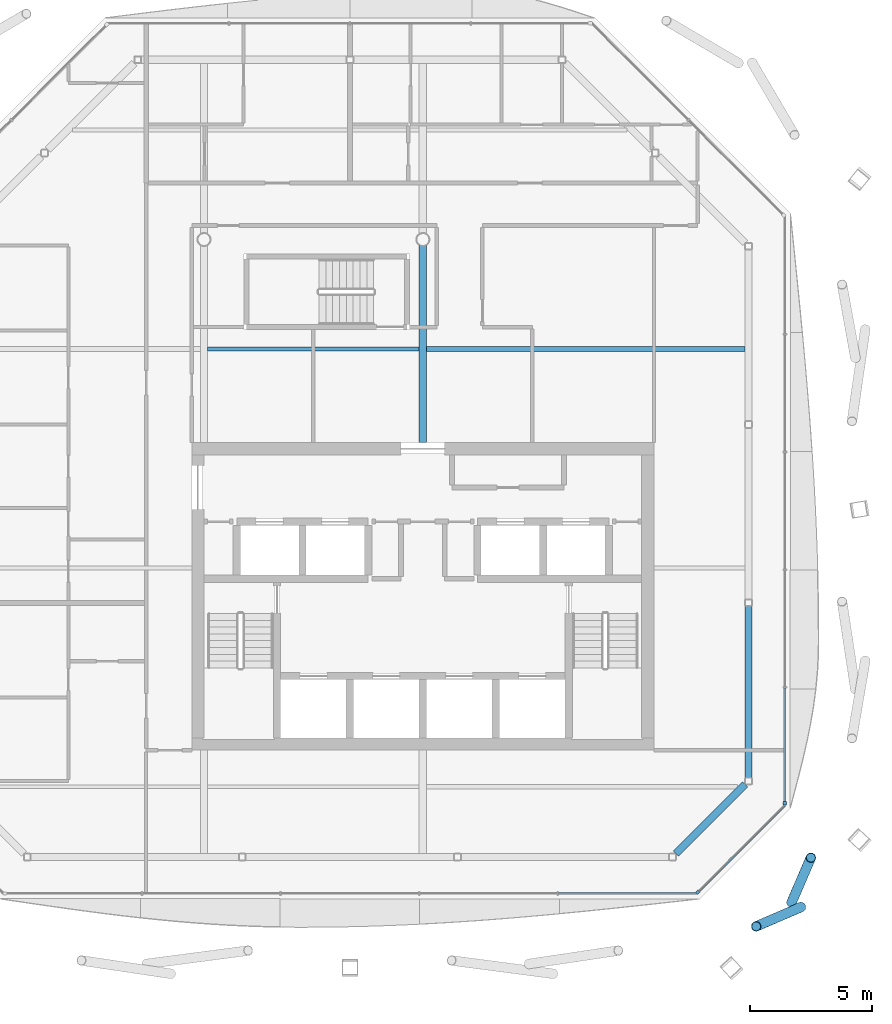
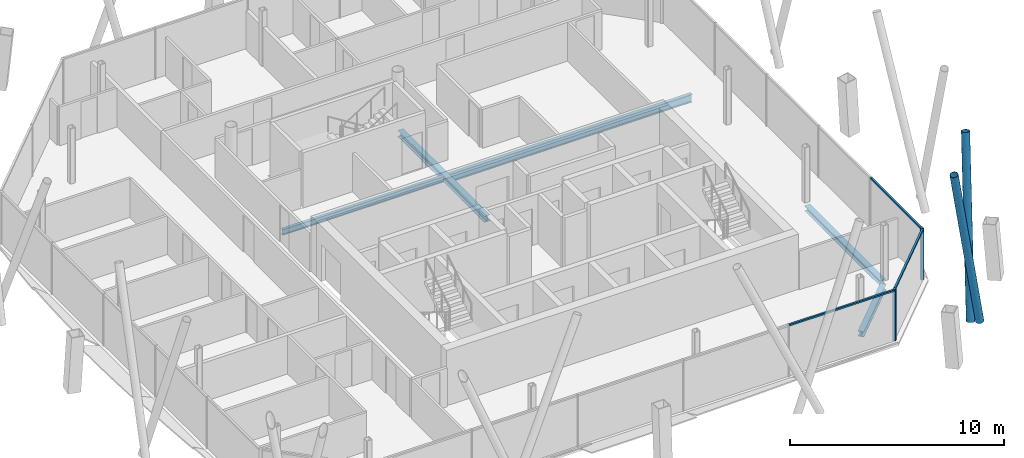
# One storey, part 7 of 17: 7 members, 5 beams, 3 elements without a shape of their own.
"""IFC4 building model written with IfcOpenShell, lengths in metres."""

from ifc_helpers import new_model, si_unit, direction, frame, origin, origin_2d, place, context, subcontext, project, spatial, rectangle, hollow_circle, i_section, extrude, material, material_profile, profile_set, type_object, element, aggregate, save


model = new_model("IFC4")

# Units and contexts
model_context = context("Model", 3, precision=1e-05, world=origin(), true_north=direction((0.0, 1.0)))
body_context = subcontext(model_context, "Body", "Model", "MODEL_VIEW")
ifc_project = project(units=[si_unit("LENGTHUNIT", "METRE"), si_unit("AREAUNIT", "SQUARE_METRE"), si_unit("VOLUMEUNIT", "CUBIC_METRE"), si_unit("PLANEANGLEUNIT", "RADIAN"), si_unit("MASSUNIT", "GRAM", prefix="KILO")], contexts=[model_context])

# Site, building, storey
site_placement = place(None, origin())
site = spatial("IfcSite", under=ifc_project, at=site_placement, CompositionType="ELEMENT")
building_placement = place(site_placement, origin())
building = spatial("IfcBuilding", under=site, at=building_placement, Name="Tskaro Facet Tower", CompositionType="ELEMENT")
storey_placement = place(building_placement, frame((0.0, 0.0, 236.10009765625)))
storey = spatial("IfcBuildingStorey", under=building, at=storey_placement, Name="L61", CompositionType="ELEMENT", Elevation=236.10009765625)

# Members
ifc_material_1 = material(Name="Steel S355J2H", Category="steel")
ifc_material_profile_1 = material_profile(ifc_material_1, hollow_circle(Radius=0.203125, WallThickness=0.02001953125, at=origin_2d()), Name="CHS 406.4x20")
ifc_profile_set_1 = profile_set([ifc_material_profile_1], Name="Steel S355J2H")
member_type_1 = type_object("IfcMemberType", Name="CHS 406.4x20 brace", PredefinedType="BRACE", material=ifc_profile_set_1)
for number, where, z_axis, x_axis, name in (
    (1, (15.162841796875, -18.25830078125, 0.0), (0.082110284645, 0.190630309966, 0.978221849111), (-0.918425547164, 0.395593875479, 0.0), "CHS 406.4x20 XB03A/5"),
    (2, (15.545654296875, -18.4501953125, 0.0), (-0.190630309966, -0.082110284645, 0.978221849111), (0.395593875479, -0.918425547164, 0.0), "CHS 406.4x20 XB03B/5"),
):
    element("IfcMember", number, at=place(storey_placement, frame(where, z_axis=z_axis, x_axis=x_axis)), inside=storey, type_object=member_type_1, Name=name, PredefinedType="BRACE", context=body_context, shape_type="SweptSolid", body=[
        extrude(hollow_circle(Radius=0.203125, WallThickness=0.02001953125, at=origin_2d()), origin(), (0.0, 0.0, 1.0), 9.660400390625),
    ])

# Curtain wall, member
ifc_material_2 = material(Name="Bronze anodised aluminium 6063-T6", Category="aluminium")
curtain_wall_type = type_object("IfcCurtainWallType", Name="Bronze residence curtain wall (FW3)", PredefinedType="NOTDEFINED", material=ifc_material_2)
curtain_wall_1_placement = place(storey_placement, origin())
curtain_wall_1 = element("IfcCurtainWall", 3, at=curtain_wall_1_placement, inside=storey, type_object=curtain_wall_type, Name="FW3 south-east facet L61", PredefinedType="NOTDEFINED")
ifc_material_profile_2 = material_profile(ifc_material_2, rectangle(XDim=0.139892578125, YDim=0.139892578125, at=origin_2d()), Name="Corner post 140x140")
ifc_profile_set_2 = profile_set([ifc_material_profile_2], Name="Bronze anodised aluminium 6063-T6")
member_type_2 = type_object("IfcMemberType", Name="FW3 bronze corner post 140x140", PredefinedType="MULLION", material=ifc_profile_set_2)
member_1_placement = place(storey_placement, frame((11.302490234375, -17.839599609375, 0.0), z_axis=(0.0, 0.0, 1.0), x_axis=(0.707106781187, 0.707106781187, 0.0)))
member_1 = element("IfcMember", 4, at=member_1_placement, type_object=member_type_2, Name="FW3 south-east corner post", PredefinedType="MULLION", context=body_context, shape_type="SweptSolid", body=[
    extrude(rectangle(XDim=0.139892578125, YDim=0.139892578125, at=origin_2d()), origin(), (0.0, 0.0, 1.0), 2.949951171875),
])

curtain_wall_2_placement = place(storey_placement, origin())
curtain_wall_2 = element("IfcCurtainWall", 5, at=curtain_wall_2_placement, inside=storey, type_object=curtain_wall_type, Name="FW3 east facet L61", PredefinedType="NOTDEFINED")
member_2_placement = place(storey_placement, frame((14.888916015625, -14.18310546875, 0.0), z_axis=(0.0, 0.0, 1.0), x_axis=(0.0, 1.0, 0.0)))
member_2 = element("IfcMember", 6, at=member_2_placement, type_object=member_type_2, Name="FW3 east corner post", PredefinedType="MULLION", context=body_context, shape_type="SweptSolid", body=[
    extrude(rectangle(XDim=0.139892578125, YDim=0.139892578125, at=origin_2d()), origin(), (0.0, 0.0, 1.0), 2.949951171875),
])

curtain_wall_3_placement = place(storey_placement, origin())
curtain_wall_3 = element("IfcCurtainWall", 7, at=curtain_wall_3_placement, inside=storey, type_object=curtain_wall_type, Name="FW3 south facet L61", PredefinedType="NOTDEFINED")
ifc_material_profile_3 = material_profile(ifc_material_2, rectangle(XDim=0.10009765625, YDim=0.090087890625, at=origin_2d()), Name="Transom 100x90")
ifc_profile_set_3 = profile_set([ifc_material_profile_3], Name="Bronze anodised aluminium 6063-T6")
member_type_3 = type_object("IfcMemberType", Name="FW3 bronze transom 100x90", PredefinedType="USERDEFINED", material=ifc_profile_set_3)
member_3_placement = place(storey_placement, frame((5.576904296875, -17.888916015625, 2.90478515625), z_axis=(1.0, 0.0, 0.0), x_axis=(0.0, 1.0, 0.0)))
member_3 = element("IfcMember", 8, at=member_3_placement, type_object=member_type_3, Name="FW3 south transom 5.1", ObjectType="TRANSOM", PredefinedType="USERDEFINED", context=body_context, shape_type="SweptSolid", body=[
    extrude(rectangle(XDim=0.10009765625, YDim=0.090087890625, at=origin_2d()), origin(), (0.0, 0.0, 1.0), 5.676025390625),
])
aggregate(curtain_wall_3, [member_3])

# Member
member_4_placement = place(storey_placement, frame((11.35205078125, -17.7900390625, 2.90478515625), z_axis=(0.707082376735, 0.707131184796, 0.0), x_axis=(-0.707131184796, 0.707082376735, 0.0)))
member_4 = element("IfcMember", 9, at=member_4_placement, type_object=member_type_3, Name="FW3 south-east transom 1.1", ObjectType="TRANSOM", PredefinedType="USERDEFINED", context=body_context, shape_type="SweptSolid", body=[
    extrude(rectangle(XDim=0.10009765625, YDim=0.090087890625, at=origin_2d()), origin(), (0.0, 0.0, 1.0), 5.001953125),
])

aggregate(curtain_wall_1, [member_1, member_4])

member_5_placement = place(storey_placement, frame((14.888916015625, -14.113037109375, 2.90478515625), z_axis=(0.0, 1.0, 0.0), x_axis=(-1.0, 0.0, 0.0)))
member_5 = element("IfcMember", 10, at=member_5_placement, type_object=member_type_3, Name="FW3 east transom 1.1", ObjectType="TRANSOM", PredefinedType="USERDEFINED", context=body_context, shape_type="SweptSolid", body=[
    extrude(rectangle(XDim=0.10009765625, YDim=0.090087890625, at=origin_2d()), origin(), (0.0, 0.0, 1.0), 4.67529296875),
])

aggregate(curtain_wall_2, [member_2, member_5])

# Beams
ifc_material_3 = material(Name="Steel S355J2", Category="steel")
ifc_material_profile_4 = material_profile(ifc_material_3, i_section(OverallWidth=0.300048828125, OverallDepth=0.300048828125, WebThickness=0.010986328125, FlangeThickness=0.01904296875, FilletRadius=0.027099609375, at=origin_2d()), Name="HE 300 B")
ifc_profile_set_4 = profile_set([ifc_material_profile_4], Name="Steel S355J2")
beam_type_1 = type_object("IfcBeamType", Name="HE 300 B ring beam", PredefinedType="BEAM", material=ifc_profile_set_4)
beam_1_placement = place(storey_placement, frame((10.40380859375, -16.255126953125, -0.2900390625), z_axis=(0.707106781187, 0.707106781187, 0.0), x_axis=(-0.707106781187, 0.707106781187, 0.0)))
element("IfcBeam", 11, at=beam_1_placement, inside=storey, type_object=beam_type_1, Name="HE 300 B EB4-5", PredefinedType="BEAM", context=body_context, shape_type="SweptSolid", body=[
    extrude(i_section(OverallWidth=0.300048828125, OverallDepth=0.300048828125, WebThickness=0.010986328125, FlangeThickness=0.01904296875, FilletRadius=0.027099609375, at=origin_2d()), origin(), (0.0, 0.0, 1.0), 4.032470703125),
])
beam_2_placement = place(storey_placement, frame((13.39111328125, -13.137939453125, -0.2900390625), z_axis=(0.0, 1.0, 0.0), x_axis=(-1.0, 0.0, 0.0)))
element("IfcBeam", 12, at=beam_2_placement, inside=storey, type_object=beam_type_1, Name="HE 300 B EB5-5", PredefinedType="BEAM", context=body_context, shape_type="SweptSolid", body=[
    extrude(i_section(OverallWidth=0.300048828125, OverallDepth=0.300048828125, WebThickness=0.010986328125, FlangeThickness=0.01904296875, FilletRadius=0.027099609375, at=origin_2d()), origin(), (0.0, 0.0, 1.0), 7.071044921875),
])
ifc_material_profile_5 = material_profile(ifc_material_3, i_section(OverallWidth=0.300048828125, OverallDepth=0.35009765625, WebThickness=0.010009765625, FlangeThickness=0.017578125, FilletRadius=0.027099609375, at=origin_2d()), Name="HE 360 A")
ifc_profile_set_5 = profile_set([ifc_material_profile_5], Name="Steel S355J2")
beam_type_2 = type_object("IfcBeamType", Name="HE 360 A girder", PredefinedType="BEAM", material=ifc_profile_set_5)
beam_3_placement = place(storey_placement, frame((0.0, 0.64990234375, -0.315185546875), z_axis=(0.0, 1.0, 0.0), x_axis=(-1.0, 0.0, 0.0)))
element("IfcBeam", 13, at=beam_3_placement, inside=storey, type_object=beam_type_2, Name="HE 360 A GB4-2-5", PredefinedType="BEAM", context=body_context, shape_type="SweptSolid", body=[
    extrude(i_section(OverallWidth=0.300048828125, OverallDepth=0.35009765625, WebThickness=0.010009765625, FlangeThickness=0.017578125, FilletRadius=0.027099609375, at=origin_2d()), origin(), (0.0, 0.0, 1.0), 8.1005859375),
])
ifc_material_profile_6 = material_profile(ifc_material_3, i_section(OverallWidth=0.159912109375, OverallDepth=0.330078125, WebThickness=0.007568359375, FlangeThickness=0.011474609375, FilletRadius=0.01806640625, at=origin_2d()), Name="IPE 330")
ifc_profile_set_6 = profile_set([ifc_material_profile_6], Name="Steel S355J2")
beam_type_3 = type_object("IfcBeamType", Name="IPE 330 secondary beam", PredefinedType="BEAM", material=ifc_profile_set_6)
beam_4_placement = place(storey_placement, frame((-8.85009765625, 4.5, -0.30517578125), z_axis=(1.0, 0.0, 0.0), x_axis=(0.0, 1.0, 0.0)))
element("IfcBeam", 14, at=beam_4_placement, inside=storey, type_object=beam_type_3, Name="IPE 330 SB4a-2-5", PredefinedType="BEAM", context=body_context, shape_type="SweptSolid", body=[
    extrude(i_section(OverallWidth=0.159912109375, OverallDepth=0.330078125, WebThickness=0.007568359375, FlangeThickness=0.011474609375, FilletRadius=0.01806640625, at=origin_2d()), origin(), (0.0, 0.0, 1.0), 8.7001953125),
])
ifc_material_profile_7 = material_profile(ifc_material_3, i_section(OverallWidth=0.18994140625, OverallDepth=0.449951171875, WebThickness=0.009521484375, FlangeThickness=0.0146484375, FilletRadius=0.02099609375, at=origin_2d()), Name="IPE 450")
ifc_profile_set_7 = profile_set([ifc_material_profile_7], Name="Steel S355J2")
beam_type_4 = type_object("IfcBeamType", Name="IPE 450 long secondary beam", PredefinedType="BEAM", material=ifc_profile_set_7)
beam_5_placement = place(storey_placement, frame((0.14990234375, 4.5, -0.364990234375), z_axis=(1.0, 0.0, 0.0), x_axis=(0.0, 1.0, 0.0)))
element("IfcBeam", 15, at=beam_5_placement, inside=storey, type_object=beam_type_4, Name="IPE 450 LSB4a-3-5", PredefinedType="BEAM", context=body_context, shape_type="SweptSolid", body=[
    extrude(i_section(OverallWidth=0.18994140625, OverallDepth=0.449951171875, WebThickness=0.009521484375, FlangeThickness=0.0146484375, FilletRadius=0.02099609375, at=origin_2d()), origin(), (0.0, 0.0, 1.0), 13.091064453125),
])

save(model, "model.ifc")
